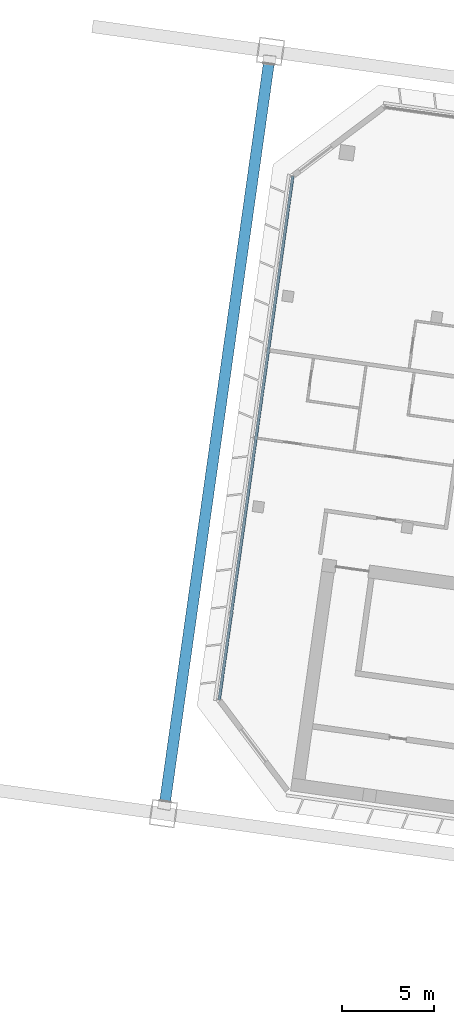
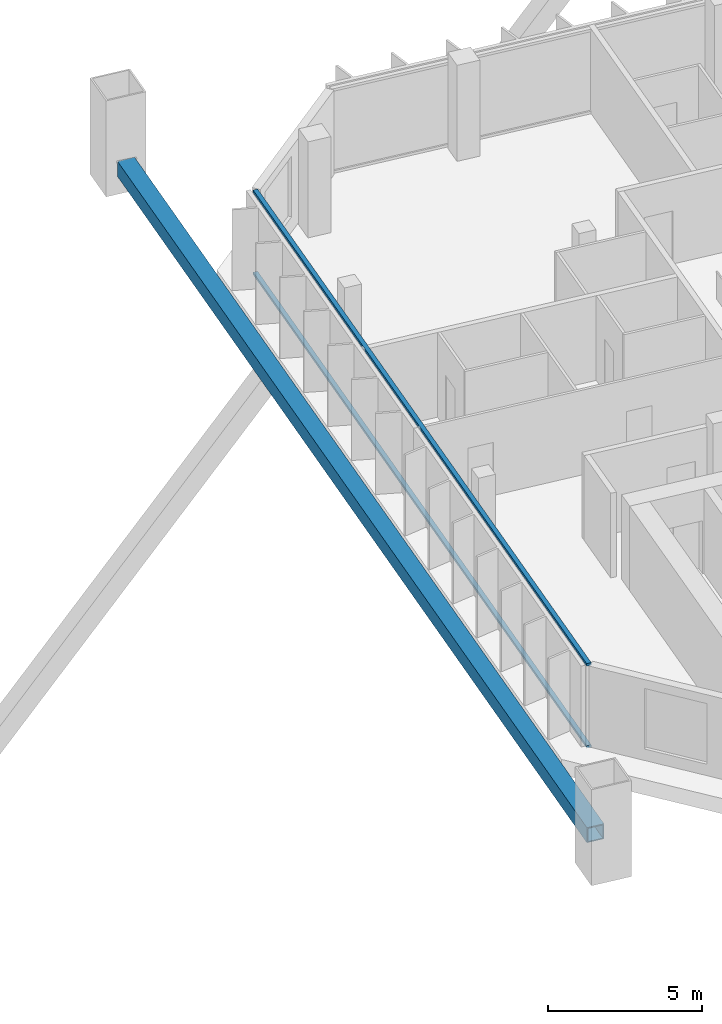
# One storey, part 3 of 38: 3 members, 1 element without a shape of its own.
"""IFC4 building model written with IfcOpenShell, lengths in metres."""

import ifcopenshell
import ifcopenshell.guid

model = None  # the IFC model being written
_history = None  # IfcOwnerHistory: only IFC2X3 demands one
_inside = {}  # id of a spatial element -> (the spatial element, [elements in it])
_under = {}  # id of a project, library or spatial element -> (it, [spatial elements below it])
_declared = {}  # id of a project -> (the project, [libraries it declares])
_typed = {}  # id of a type object -> (the type object, [elements of that type])
_made_of = {}  # id of a material, layer set ... -> (it, [elements and type objects made of it])


def new_model(schema):
    """Start an empty IFC model of exactly this schema.

    Asked for "IFC4X3", IfcOpenShell would pick the latest addendum, in which some entities
    have other attributes; the version numbers below select the first issue.
    IFC2X3 requires an IfcOwnerHistory on every rooted entity: one is made here for all.
    """
    global model, _history
    if schema == "IFC4X3":
        model = ifcopenshell.file(schema_version=(4, 3, 0, 0))
    else:
        model = ifcopenshell.file(schema=schema)
    _inside.clear()
    _under.clear()
    _declared.clear()
    _typed.clear()
    _made_of.clear()
    _history = None
    if model.schema == "IFC2X3":
        org = make("IfcOrganization", Name="unknown")
        user = make(
            "IfcPersonAndOrganization",
            ThePerson=make("IfcPerson", FamilyName="unknown"),
            TheOrganization=org,
        )
        app = make(
            "IfcApplication",
            ApplicationDeveloper=org,
            Version="unknown",
            ApplicationFullName="unknown",
            ApplicationIdentifier="unknown",
        )
        _history = make(
            "IfcOwnerHistory",
            OwningUser=user,
            OwningApplication=app,
            ChangeAction="ADDED",
            CreationDate=0,
        )
    return model


def make(cls, **values):
    """One entity of the class cls with the attributes given. An attribute that is None is left unset."""
    return model.create_entity(
        cls, **{name: value for name, value in values.items() if value is not None}
    )


def rooted(cls, **values):
    """An entity with a GlobalId (a new one), such as an element, a storey or a relation."""
    return make(cls, GlobalId=ifcopenshell.guid.new(), OwnerHistory=_history, **values)


def si_unit(unit_type, name, prefix=None):
    """IfcSIUnit, for example si_unit("LENGTHUNIT", "METRE", prefix="MILLI")."""
    return make("IfcSIUnit", UnitType=unit_type, Prefix=prefix, Name=name)


def assignment(units):
    """IfcUnitAssignment: the units of a project."""
    return None if units is None else make("IfcUnitAssignment", Units=units)


def point(xyz):
    """IfcCartesianPoint."""
    return None if xyz is None else make("IfcCartesianPoint", Coordinates=xyz)


def direction(xyz):
    """IfcDirection."""
    return None if xyz is None else make("IfcDirection", DirectionRatios=xyz)


def frame(location, z_axis=None, x_axis=None):
    """IfcAxis2Placement3D, a coordinate frame: its origin and axes. An axis left out is left unset."""
    return make(
        "IfcAxis2Placement3D",
        Location=point(location),
        Axis=direction(z_axis),
        RefDirection=direction(x_axis),
    )


def frame_2d(location, x_axis=None):
    """IfcAxis2Placement2D, a coordinate frame in the plane: its origin and x axis."""
    return make(
        "IfcAxis2Placement2D", Location=point(location), RefDirection=direction(x_axis)
    )


def origin():
    """The frame at (0, 0, 0) with its axes left unset."""
    return frame((0.0, 0.0, 0.0))


def origin_2d():
    """The frame at (0, 0) in the plane with its x axis left unset."""
    return frame_2d((0.0, 0.0))


def place(relative_to, where):
    """IfcLocalPlacement: puts the frame where relative to a parent placement (None: the world)."""
    return make(
        "IfcLocalPlacement", PlacementRelTo=relative_to, RelativePlacement=where
    )


def context(
    kind, dimensions, precision=None, world=None, true_north=None, identifier=None
):
    """IfcGeometricRepresentationContext, for example the 3D "Model" context."""
    return make(
        "IfcGeometricRepresentationContext",
        ContextIdentifier=identifier,
        ContextType=kind,
        CoordinateSpaceDimension=dimensions,
        Precision=precision,
        WorldCoordinateSystem=world,
        TrueNorth=true_north,
    )


def subcontext(parent, identifier, kind, view, scale=None):
    """IfcGeometricRepresentationSubContext, for example "Body" below "Model"."""
    return make(
        "IfcGeometricRepresentationSubContext",
        ContextIdentifier=identifier,
        ContextType=kind,
        ParentContext=parent,
        TargetScale=scale,
        TargetView=view,
    )


def project(units=None, contexts=None):
    """IfcProject with its units and contexts."""
    return rooted(
        "IfcProject",
        Name="project",
        RepresentationContexts=contexts,
        UnitsInContext=assignment(units),
    )


def spatial(cls, under=None, at=None, **own):
    """A site, building, storey or space (cls), placed at a placement, below another one or the project."""
    s = rooted(cls, ObjectPlacement=at, **own)
    if under is not None:
        _under.setdefault(under.id(), (under, []))[1].append(s)
    return s


def profile(cls, at=None, kind="AREA", **sizes):
    """A parametric profile (cls). Its sizes go by their IFC names, for example OverallWidth=200.0."""
    return make(cls, ProfileType=kind, Position=at, **sizes)


def rectangle(**sizes):
    """IfcRectangleProfileDef."""
    return profile("IfcRectangleProfileDef", **sizes)


def hollow_rectangle(**sizes):
    """IfcRectangleHollowProfileDef."""
    return profile("IfcRectangleHollowProfileDef", **sizes)


def extrude(swept, where, along, depth):
    """IfcExtrudedAreaSolid: the profile swept, set in the frame where, extruded along a direction by depth."""
    return make(
        "IfcExtrudedAreaSolid",
        SweptArea=swept,
        Position=where,
        ExtrudedDirection=direction(along),
        Depth=depth,
    )


def shape(context_of_items, identifier, shape_type, items):
    """IfcShapeRepresentation: the items that make up one representation, for example the "Body"."""
    return make(
        "IfcShapeRepresentation",
        ContextOfItems=context_of_items,
        RepresentationIdentifier=identifier,
        RepresentationType=shape_type,
        Items=items,
    )


def material(Name=None, Category=None):
    """IfcMaterial."""
    return make("IfcMaterial", Name=Name, Category=Category)


def material_profile(
    of_material, cross_section, Name=None, Category=None, Priority=None
):
    """IfcMaterialProfile: a cross section and its material."""
    return make(
        "IfcMaterialProfile",
        Name=Name,
        Material=of_material,
        Profile=cross_section,
        Priority=Priority,
        Category=Category,
    )


def profile_set(profiles, Name=None, composite=None):
    """IfcMaterialProfileSet."""
    return make(
        "IfcMaterialProfileSet",
        Name=Name,
        MaterialProfiles=profiles,
        CompositeProfile=composite,
    )


def made_of(thing, what):
    """Note that an element or type object is made of a material, layer set ...; save() writes the relation."""
    if what is not None:
        _made_of.setdefault(what.id(), (what, []))[1].append(thing)
    return thing


def type_object(cls, material=None, **own):
    """A type object (cls), such as IfcWallType, which elements share."""
    return made_of(rooted(cls, **own), material)


def element(
    cls,
    number,
    at=None,
    inside=None,
    cuts=None,
    type_object=None,
    material=None,
    context=None,
    identifier="Body",
    shape_type=None,
    held_by="IfcProductDefinitionShape",
    body=None,
    shapes=None,
    **own,
):
    """One element of the class cls, such as IfcWall. Its Tag is "e" and its number.

    at: its placement. inside: the storey or other place that contains it. cuts: it is an
    opening in that element (IfcRelVoidsElement). A single representation is given by context,
    identifier, shape_type and body (its items); several are given by shapes. held_by: the class
    of the entity that holds the representations. save() writes the other relations.
    """
    e = rooted(cls, Tag="e%d" % number, ObjectPlacement=at, **own)
    if body is not None:
        shapes = [shape(context, identifier, shape_type, body)]
    if shapes is not None:
        e.Representation = make(held_by, Representations=shapes)
    if inside is not None:
        _inside.setdefault(inside.id(), (inside, []))[1].append(e)
    if cuts is not None:
        rooted(
            "IfcRelVoidsElement", RelatingBuildingElement=cuts, RelatedOpeningElement=e
        )
    if type_object is not None:
        _typed.setdefault(type_object.id(), (type_object, []))[1].append(e)
    return made_of(e, material)


def aggregate(whole, parts):
    """IfcRelAggregates: a whole, such as a stair, and the parts it consists of."""
    return rooted("IfcRelAggregates", RelatingObject=whole, RelatedObjects=parts)


def save(model, path):
    """Write the relations noted so far, then the file.

    IfcRelAggregates (storeys below a building ...), IfcRelContainedInSpatialStructure (elements
    in a storey), IfcRelDefinesByType, IfcRelAssociatesMaterial and IfcRelDeclares: one each for
    every whole, place, type object, material and project.
    """
    for whole, parts in _under.values():
        aggregate(whole, parts)
    for where, things in _inside.values():
        rooted(
            "IfcRelContainedInSpatialStructure",
            RelatedElements=things,
            RelatingStructure=where,
        )
    for kind, things in _typed.values():
        rooted("IfcRelDefinesByType", RelatedObjects=things, RelatingType=kind)
    for what, things in _made_of.values():
        rooted("IfcRelAssociatesMaterial", RelatedObjects=things, RelatingMaterial=what)
    for by, libraries in _declared.values():
        rooted("IfcRelDeclares", RelatingContext=by, RelatedDefinitions=libraries)
    model.write(path)


model = new_model("IFC4")

# Units and contexts
model_context = context("Model", 3, precision=1e-05, world=origin(), true_north=direction((0.0, 1.0)))
body_context = subcontext(model_context, "Body", "Model", "MODEL_VIEW")
ifc_project = project(units=[si_unit("LENGTHUNIT", "METRE"), si_unit("AREAUNIT", "SQUARE_METRE"), si_unit("VOLUMEUNIT", "CUBIC_METRE"), si_unit("PLANEANGLEUNIT", "RADIAN"), si_unit("MASSUNIT", "GRAM", prefix="KILO")], contexts=[model_context])

# Site, building, storey
site_placement = place(None, origin())
site = spatial("IfcSite", under=ifc_project, at=site_placement, CompositionType="ELEMENT")
building_placement = place(site_placement, origin())
building = spatial("IfcBuilding", under=site, at=building_placement, Name="Mirante Cascada Hotel Towers", CompositionType="ELEMENT")
storey_placement = place(building_placement, frame((0.0, 0.0, 184.0)))
storey = spatial("IfcBuildingStorey", under=building, at=storey_placement, Name="L43", CompositionType="ELEMENT", Elevation=184.0)

# Member
ifc_material_1 = material(Name="Steel ASTM A572 Gr 50", Category="steel")
ifc_material_profile_1 = material_profile(ifc_material_1, hollow_rectangle(XDim=0.6, YDim=0.6, WallThickness=0.04, at=origin_2d()), Name="Box chord 600x600x40 ASTM A572 Gr 50")
ifc_profile_set_1 = profile_set([ifc_material_profile_1], Name="Steel ASTM A572 Gr 50")
member_type_1 = type_object("IfcMemberType", Name="Box chord 600x600x40 ASTM A572 Gr 50", PredefinedType="CHORD", material=ifc_profile_set_1)
member_1_placement = place(storey_placement, frame((-88.283, -14.3286, 1.0), z_axis=(0.1391732, 0.9902681, 0.0), x_axis=(-0.9902681, 0.1391732, 0.0)))
element("IfcMember", 1, at=member_1_placement, inside=storey, type_object=member_type_1, Name="exochord T1 L43 1", PredefinedType="CHORD", context=body_context, shape_type="SweptSolid", body=[
    extrude(hollow_rectangle(XDim=0.6, YDim=0.6, WallThickness=0.04, at=origin_2d()), origin(), (0.0, 0.0, 1.0), 40.64),
])

# Curtain wall, members
ifc_material_2 = material(Name="Aluminium mullion and transom frame with clear laminated glass", Category="aluminium")
curtain_wall_type = type_object("IfcCurtainWallType", Name="End ribbon curtain wall ECW2", PredefinedType="NOTDEFINED", material=ifc_material_2)
curtain_wall_placement = place(storey_placement, origin())
curtain_wall = element("IfcCurtainWall", 2, at=curtain_wall_placement, inside=storey, type_object=curtain_wall_type, Name="Outer end wall T1 L43", PredefinedType="NOTDEFINED")
ifc_material_3 = material(Name="Anodised aluminium extrusion", Category="aluminium")
ifc_material_profile_2 = material_profile(ifc_material_3, rectangle(XDim=0.16, YDim=0.1, at=origin_2d()), Name="ECW2 TRANSOM 100x160")
ifc_profile_set_2 = profile_set([ifc_material_profile_2], Name="Anodised aluminium extrusion")
member_type_2 = type_object("IfcMemberType", Name="ECW2 transom 100x160", PredefinedType="USERDEFINED", material=ifc_profile_set_2)
member_2_placement = place(storey_placement, frame((-85.3353, -8.8029, 0.05), z_axis=(0.1391723, 0.9902682, 0.0), x_axis=(-0.9902682, 0.1391723, 0.0)))
member_2 = element("IfcMember", 3, at=member_2_placement, type_object=member_type_2, Name="ECW2 sill transom", ObjectType="TRANSOM", PredefinedType="USERDEFINED", context=body_context, shape_type="SweptSolid", body=[
    extrude(rectangle(XDim=0.16, YDim=0.1, at=origin_2d()), origin(), (0.0, 0.0, 1.0), 28.8757),
])
member_3_placement = place(storey_placement, frame((-85.3353, -8.8029, 3.3), z_axis=(0.1391723, 0.9902682, 0.0), x_axis=(-0.9902682, 0.1391723, 0.0)))
member_3 = element("IfcMember", 4, at=member_3_placement, type_object=member_type_2, Name="ECW2 head transom", ObjectType="TRANSOM", PredefinedType="USERDEFINED", context=body_context, shape_type="SweptSolid", body=[
    extrude(rectangle(XDim=0.16, YDim=0.1, at=origin_2d()), origin(), (0.0, 0.0, 1.0), 28.8757),
])
aggregate(curtain_wall, [member_2, member_3])

save(model, "model.ifc")
